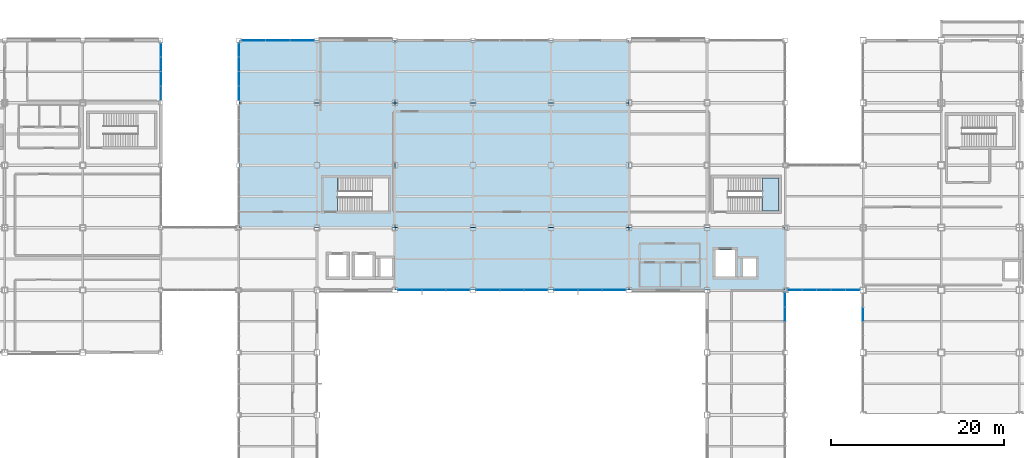
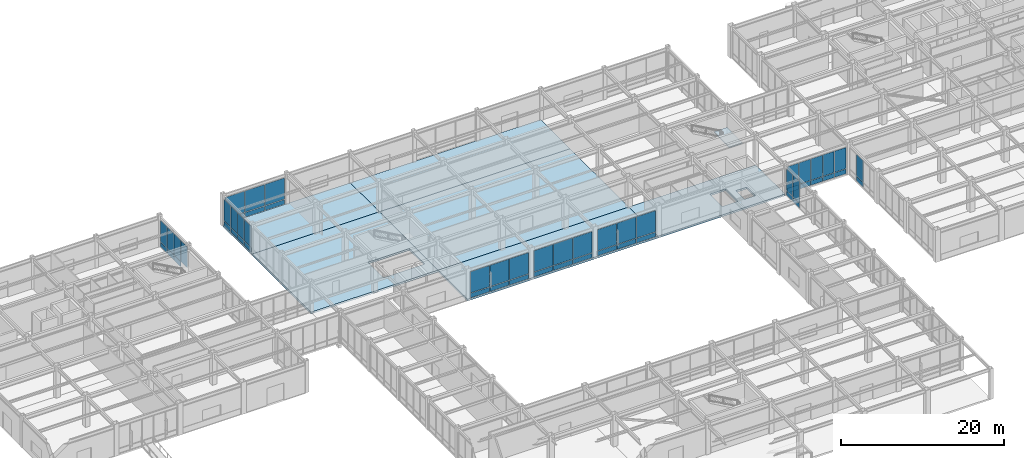
# One storey, part 84 of 112: 55 plates, 7 slabs, 10 elements without a shape of their own.
"""IFC4 building model written with IfcOpenShell, lengths in metres."""

from ifc_helpers import new_model, si_unit, direction, frame, origin, origin_2d, place, context, subcontext, project, spatial, polyline, rectangle, outline, extrude, material, layer, layer_set, type_object, element, aggregate, save


model = new_model("IFC4")

# Units and contexts
model_context = context("Model", 3, precision=1e-05, world=origin(), true_north=direction((0.0, 1.0)))
body_context = subcontext(model_context, "Body", "Model", "MODEL_VIEW")
ifc_project = project(units=[si_unit("LENGTHUNIT", "METRE"), si_unit("AREAUNIT", "SQUARE_METRE"), si_unit("VOLUMEUNIT", "CUBIC_METRE"), si_unit("PLANEANGLEUNIT", "RADIAN"), si_unit("MASSUNIT", "GRAM", prefix="KILO")], contexts=[model_context])

# Site, building, storey
site_placement = place(None, origin())
site = spatial("IfcSite", under=ifc_project, at=site_placement, CompositionType="ELEMENT")
building_placement = place(site_placement, origin())
building = spatial("IfcBuilding", under=site, at=building_placement, Name="Kazanami Central Library", CompositionType="ELEMENT")
storey_placement = place(building_placement, origin())
storey = spatial("IfcBuildingStorey", under=building, at=storey_placement, Name="L01", CompositionType="ELEMENT", Elevation=0.0)

# Curtain wall, plates
ifc_material_1 = material(Name="Acid-Etched Low-E Laminated Glass", Category="glass")
curtain_wall_type_1 = type_object("IfcCurtainWallType", Name="CW-8350x4055-M275", PredefinedType="USERDEFINED", material=ifc_material_1)
curtain_wall_1_placement = place(storey_placement, origin())
curtain_wall_1 = element("IfcCurtainWall", 1, at=curtain_wall_1_placement, inside=storey, type_object=curtain_wall_type_1, Name="Unitised Curtain Wall CW-03 L01 S-K-08", ObjectType="UNITISED CURTAIN WALL", PredefinedType="USERDEFINED")
ifc_layer_1 = layer(ifc_material_1, 0.035888671875, Name="Acid-Etched Low-E Laminated Glass")
ifc_layer_set_1 = layer_set([ifc_layer_1], Name="Acid-Etched Low-E Laminated Glass")
plate_type_1 = type_object("IfcPlateType", Name="PLT-CW-P1", PredefinedType="CURTAIN_PANEL", material=ifc_layer_set_1)
plate_1_placement = place(storey_placement, frame((73.734130859375, 64.800048828125, 0.81494140625), z_axis=(0.0, 0.0, 1.0), x_axis=(1.0, 0.0, 0.0)))
plate_1 = element("IfcPlate", 2, at=plate_1_placement, type_object=plate_type_1, Name="CW-03 panel 1.2", PredefinedType="CURTAIN_PANEL", context=body_context, shape_type="SweptSolid", body=[
    extrude(rectangle(XDim=2.67822265625, YDim=0.035888671875, at=origin_2d()), origin(), (0.0, 0.0, 1.0), 3.169921875),
])
plate_2_placement = place(storey_placement, frame((76.5, 64.800048828125, 0.81494140625), z_axis=(0.0, 0.0, 1.0), x_axis=(1.0, 0.0, 0.0)))
plate_2 = element("IfcPlate", 3, at=plate_2_placement, type_object=plate_type_1, Name="CW-03 panel 2.2", PredefinedType="CURTAIN_PANEL", context=body_context, shape_type="SweptSolid", body=[
    extrude(rectangle(XDim=2.71337890625, YDim=0.035888671875, at=origin_2d()), origin(), (0.0, 0.0, 1.0), 3.169921875),
])
plate_3_placement = place(storey_placement, frame((79.265869140625, 64.800048828125, 0.81494140625), z_axis=(0.0, 0.0, 1.0), x_axis=(1.0, 0.0, 0.0)))
plate_3 = element("IfcPlate", 4, at=plate_3_placement, type_object=plate_type_1, Name="CW-03 panel 3.2", PredefinedType="CURTAIN_PANEL", context=body_context, shape_type="SweptSolid", body=[
    extrude(rectangle(XDim=2.67822265625, YDim=0.035888671875, at=origin_2d()), origin(), (0.0, 0.0, 1.0), 3.169921875),
])

curtain_wall_2_placement = place(storey_placement, origin())
curtain_wall_2 = element("IfcCurtainWall", 5, at=curtain_wall_2_placement, inside=storey, type_object=curtain_wall_type_1, Name="Unitised Curtain Wall CW-03 L01 S-K-07", ObjectType="UNITISED CURTAIN WALL", PredefinedType="USERDEFINED")
ifc_layer_2 = layer(ifc_material_1, 0.0439453125, Name="Acid-Etched Low-E Laminated Glass")
ifc_layer_set_2 = layer_set([ifc_layer_2], Name="Acid-Etched Low-E Laminated Glass")
plate_type_2 = type_object("IfcPlateType", Name="PLT-CW-P2", PredefinedType="CURTAIN_PANEL", material=ifc_layer_set_2)
plate_4_placement = place(storey_placement, frame((64.734130859375, 64.800048828125, 0.81494140625), z_axis=(0.0, 0.0, 1.0), x_axis=(1.0, 0.0, 0.0)))
plate_4 = element("IfcPlate", 6, at=plate_4_placement, type_object=plate_type_2, Name="CW-03 panel 1.2", PredefinedType="CURTAIN_PANEL", context=body_context, shape_type="SweptSolid", body=[
    extrude(rectangle(XDim=2.67822265625, YDim=0.0439453125, at=origin_2d()), origin(), (0.0, 0.0, 1.0), 3.169921875),
])
plate_5_placement = place(storey_placement, frame((67.5, 64.800048828125, 0.81494140625), z_axis=(0.0, 0.0, 1.0), x_axis=(1.0, 0.0, 0.0)))
plate_5 = element("IfcPlate", 7, at=plate_5_placement, type_object=plate_type_2, Name="CW-03 panel 2.2", PredefinedType="CURTAIN_PANEL", context=body_context, shape_type="SweptSolid", body=[
    extrude(rectangle(XDim=2.71337890625, YDim=0.0439453125, at=origin_2d()), origin(), (0.0, 0.0, 1.0), 3.169921875),
])
plate_6_placement = place(storey_placement, frame((70.265869140625, 64.800048828125, 0.81494140625), z_axis=(0.0, 0.0, 1.0), x_axis=(1.0, 0.0, 0.0)))
plate_6 = element("IfcPlate", 8, at=plate_6_placement, type_object=plate_type_2, Name="CW-03 panel 3.2", PredefinedType="CURTAIN_PANEL", context=body_context, shape_type="SweptSolid", body=[
    extrude(rectangle(XDim=2.67822265625, YDim=0.0439453125, at=origin_2d()), origin(), (0.0, 0.0, 1.0), 3.169921875),
])

curtain_wall_3_placement = place(storey_placement, origin())
curtain_wall_3 = element("IfcCurtainWall", 9, at=curtain_wall_3_placement, inside=storey, type_object=curtain_wall_type_1, Name="Unitised Curtain Wall CW-03 L01 S-K-09", ObjectType="UNITISED CURTAIN WALL", PredefinedType="USERDEFINED")
plate_7_placement = place(storey_placement, frame((82.734130859375, 64.800048828125, 0.81494140625), z_axis=(0.0, 0.0, 1.0), x_axis=(1.0, 0.0, 0.0)))
plate_7 = element("IfcPlate", 10, at=plate_7_placement, type_object=plate_type_2, Name="CW-03 panel 1.2", PredefinedType="CURTAIN_PANEL", context=body_context, shape_type="SweptSolid", body=[
    extrude(rectangle(XDim=2.67822265625, YDim=0.0439453125, at=origin_2d()), origin(), (0.0, 0.0, 1.0), 3.169921875),
])
plate_8_placement = place(storey_placement, frame((85.5, 64.800048828125, 0.81494140625), z_axis=(0.0, 0.0, 1.0), x_axis=(1.0, 0.0, 0.0)))
plate_8 = element("IfcPlate", 11, at=plate_8_placement, type_object=plate_type_2, Name="CW-03 panel 2.2", PredefinedType="CURTAIN_PANEL", context=body_context, shape_type="SweptSolid", body=[
    extrude(rectangle(XDim=2.71337890625, YDim=0.0439453125, at=origin_2d()), origin(), (0.0, 0.0, 1.0), 3.169921875),
])
plate_9_placement = place(storey_placement, frame((88.265869140625, 64.800048828125, 0.81494140625), z_axis=(0.0, 0.0, 1.0), x_axis=(1.0, 0.0, 0.0)))
plate_9 = element("IfcPlate", 12, at=plate_9_placement, type_object=plate_type_2, Name="CW-03 panel 3.2", PredefinedType="CURTAIN_PANEL", context=body_context, shape_type="SweptSolid", body=[
    extrude(rectangle(XDim=2.67822265625, YDim=0.0439453125, at=origin_2d()), origin(), (0.0, 0.0, 1.0), 3.169921875),
])

curtain_wall_type_2 = type_object("IfcCurtainWallType", Name="CW-8500x4055-M275", PredefinedType="USERDEFINED", material=ifc_material_1)
curtain_wall_4_placement = place(storey_placement, origin())
curtain_wall_4 = element("IfcCurtainWall", 13, at=curtain_wall_4_placement, inside=storey, type_object=curtain_wall_type_2, Name="Unitised Curtain Wall CW-07 L01 N-O-05", ObjectType="UNITISED CURTAIN WALL", PredefinedType="USERDEFINED")
plate_10_placement = place(storey_placement, frame((52.31591796875, 93.60009765625, 0.81494140625), z_axis=(0.0, 0.0, 1.0), x_axis=(-1.0, 0.0, 0.0)))
plate_10 = element("IfcPlate", 14, at=plate_10_placement, type_object=plate_type_2, Name="CW-07 panel 1.2", PredefinedType="CURTAIN_PANEL", context=body_context, shape_type="SweptSolid", body=[
    extrude(rectangle(XDim=2.728271484375, YDim=0.0439453125, at=origin_2d()), origin(), (0.0, 0.0, 1.0), 3.169921875),
])
plate_11_placement = place(storey_placement, frame((49.5, 93.60009765625, 0.81494140625), z_axis=(0.0, 0.0, 1.0), x_axis=(-1.0, 0.0, 0.0)))
plate_11 = element("IfcPlate", 15, at=plate_11_placement, type_object=plate_type_2, Name="CW-07 panel 2.2", PredefinedType="CURTAIN_PANEL", context=body_context, shape_type="SweptSolid", body=[
    extrude(rectangle(XDim=2.763427734375, YDim=0.0439453125, at=origin_2d()), origin(), (0.0, 0.0, 1.0), 3.169921875),
])
plate_12_placement = place(storey_placement, frame((46.68408203125, 93.60009765625, 0.81494140625), z_axis=(0.0, 0.0, 1.0), x_axis=(-1.0, 0.0, 0.0)))
plate_12 = element("IfcPlate", 16, at=plate_12_placement, type_object=plate_type_2, Name="CW-07 panel 3.2", PredefinedType="CURTAIN_PANEL", context=body_context, shape_type="SweptSolid", body=[
    extrude(rectangle(XDim=2.728271484375, YDim=0.0439453125, at=origin_2d()), origin(), (0.0, 0.0, 1.0), 3.169921875),
])

curtain_wall_type_3 = type_object("IfcCurtainWallType", Name="CW-8400x4055-M180", PredefinedType="USERDEFINED", material=ifc_material_1)
curtain_wall_5_placement = place(storey_placement, origin())
curtain_wall_5 = element("IfcCurtainWall", 17, at=curtain_wall_5_placement, inside=storey, type_object=curtain_wall_type_3, Name="Covered Link Bridge Curtain Wall CW-06 L01 S-K-12", ObjectType="UNITISED CURTAIN WALL", PredefinedType="USERDEFINED")
ifc_material_2 = material(Name="Low-E Insulated Triple Glass", Category="glass")
ifc_layer_3 = layer(ifc_material_2, 0.0400390625, Name="Low-E Insulated Triple Glass")
ifc_layer_set_3 = layer_set([ifc_layer_3], Name="Low-E Insulated Triple Glass")
plate_type_3 = type_object("IfcPlateType", Name="PLT-CW-P3", PredefinedType="CURTAIN_PANEL", material=ifc_layer_set_3)
plate_13_placement = place(storey_placement, frame((109.10498046875, 64.800048828125, 0.81005859375), z_axis=(0.0, 0.0, 1.0), x_axis=(1.0, 0.0, 0.0)))
plate_13 = element("IfcPlate", 18, at=plate_13_placement, type_object=plate_type_3, Name="CW-06 panel 1.2", PredefinedType="CURTAIN_PANEL", context=body_context, shape_type="SweptSolid", body=[
    extrude(rectangle(XDim=1.590087890625, YDim=0.0400390625, at=origin_2d()), origin(), (0.0, 0.0, 1.0), 3.18505859375),
])
plate_14_placement = place(storey_placement, frame((110.77001953125, 64.800048828125, 0.81005859375), z_axis=(0.0, 0.0, 1.0), x_axis=(1.0, 0.0, 0.0)))
plate_14 = element("IfcPlate", 19, at=plate_14_placement, type_object=plate_type_3, Name="CW-06 panel 2.2", PredefinedType="CURTAIN_PANEL", context=body_context, shape_type="SweptSolid", body=[
    extrude(rectangle(XDim=1.6201171875, YDim=0.0400390625, at=origin_2d()), origin(), (0.0, 0.0, 1.0), 3.18505859375),
])
plate_15_placement = place(storey_placement, frame((112.449951171875, 64.800048828125, 0.81005859375), z_axis=(0.0, 0.0, 1.0), x_axis=(1.0, 0.0, 0.0)))
plate_15 = element("IfcPlate", 20, at=plate_15_placement, type_object=plate_type_3, Name="CW-06 panel 3.2", PredefinedType="CURTAIN_PANEL", context=body_context, shape_type="SweptSolid", body=[
    extrude(rectangle(XDim=1.6201171875, YDim=0.0400390625, at=origin_2d()), origin(), (0.0, 0.0, 1.0), 3.18505859375),
])
plate_16_placement = place(storey_placement, frame((114.1298828125, 64.800048828125, 0.81005859375), z_axis=(0.0, 0.0, 1.0), x_axis=(1.0, 0.0, 0.0)))
plate_16 = element("IfcPlate", 21, at=plate_16_placement, type_object=plate_type_3, Name="CW-06 panel 4.2", PredefinedType="CURTAIN_PANEL", context=body_context, shape_type="SweptSolid", body=[
    extrude(rectangle(XDim=1.6201171875, YDim=0.0400390625, at=origin_2d()), origin(), (0.0, 0.0, 1.0), 3.18505859375),
])
plate_17_placement = place(storey_placement, frame((115.794921875, 64.800048828125, 0.81005859375), z_axis=(0.0, 0.0, 1.0), x_axis=(1.0, 0.0, 0.0)))
plate_17 = element("IfcPlate", 22, at=plate_17_placement, type_object=plate_type_3, Name="CW-06 panel 5.2", PredefinedType="CURTAIN_PANEL", context=body_context, shape_type="SweptSolid", body=[
    extrude(rectangle(XDim=1.590087890625, YDim=0.0400390625, at=origin_2d()), origin(), (0.0, 0.0, 1.0), 3.18505859375),
])

curtain_wall_type_4 = type_object("IfcCurtainWallType", Name="CW-6700x4055-M180", PredefinedType="USERDEFINED", material=ifc_material_1)
curtain_wall_6_placement = place(storey_placement, origin())
curtain_wall_6 = element("IfcCurtainWall", 23, at=curtain_wall_6_placement, inside=storey, type_object=curtain_wall_type_4, Name="Covered Link Bridge Curtain Wall CW-09 L01 E-5-12", ObjectType="UNITISED CURTAIN WALL", PredefinedType="USERDEFINED")
plate_18_placement = place(storey_placement, frame((36.0, 92.49755859375, 0.81005859375), z_axis=(0.0, 0.0, 1.0), x_axis=(0.0, -1.0, 0.0)))
plate_18 = element("IfcPlate", 24, at=plate_18_placement, type_object=plate_type_3, Name="CW-09 panel 1.2", PredefinedType="CURTAIN_PANEL", context=body_context, shape_type="SweptSolid", body=[
    extrude(rectangle(XDim=1.5849609375, YDim=0.0400390625, at=origin_2d()), origin(), (0.0, 0.0, 1.0), 3.18505859375),
])
plate_19_placement = place(storey_placement, frame((36.0, 90.83740234375, 0.81005859375), z_axis=(0.0, 0.0, 1.0), x_axis=(0.0, -1.0, 0.0)))
plate_19 = element("IfcPlate", 25, at=plate_19_placement, type_object=plate_type_3, Name="CW-09 panel 2.2", PredefinedType="CURTAIN_PANEL", context=body_context, shape_type="SweptSolid", body=[
    extrude(rectangle(XDim=1.614990234375, YDim=0.0400390625, at=origin_2d()), origin(), (0.0, 0.0, 1.0), 3.18505859375),
])
plate_20_placement = place(storey_placement, frame((36.0, 89.16259765625, 0.81005859375), z_axis=(0.0, 0.0, 1.0), x_axis=(0.0, -1.0, 0.0)))
plate_20 = element("IfcPlate", 26, at=plate_20_placement, type_object=plate_type_3, Name="CW-09 panel 3.2", PredefinedType="CURTAIN_PANEL", context=body_context, shape_type="SweptSolid", body=[
    extrude(rectangle(XDim=1.614990234375, YDim=0.0400390625, at=origin_2d()), origin(), (0.0, 0.0, 1.0), 3.18505859375),
])
plate_21_placement = place(storey_placement, frame((36.0, 87.50244140625, 0.81005859375), z_axis=(0.0, 0.0, 1.0), x_axis=(0.0, -1.0, 0.0)))
plate_21 = element("IfcPlate", 27, at=plate_21_placement, type_object=plate_type_3, Name="CW-09 panel 4.2", PredefinedType="CURTAIN_PANEL", context=body_context, shape_type="SweptSolid", body=[
    extrude(rectangle(XDim=1.5849609375, YDim=0.0400390625, at=origin_2d()), origin(), (0.0, 0.0, 1.0), 3.18505859375),
])

curtain_wall_7_placement = place(storey_placement, origin())
curtain_wall_7 = element("IfcCurtainWall", 28, at=curtain_wall_7_placement, inside=storey, type_object=curtain_wall_type_4, Name="Covered Link Bridge Curtain Wall CW-09 L01 W-6-12", ObjectType="UNITISED CURTAIN WALL", PredefinedType="USERDEFINED")
plate_22_placement = place(storey_placement, frame((45.0, 87.5048828125, 0.81494140625), z_axis=(0.0, 0.0, 1.0), x_axis=(0.0, 1.0, 0.0)))
plate_22 = element("IfcPlate", 29, at=plate_22_placement, type_object=plate_type_3, Name="CW-09 panel 1.2", PredefinedType="CURTAIN_PANEL", context=body_context, shape_type="SweptSolid", body=[
    extrude(rectangle(XDim=1.570068359375, YDim=0.0400390625, at=origin_2d()), origin(), (0.0, 0.0, 1.0), 3.169921875),
])
plate_23_placement = place(storey_placement, frame((45.0, 89.16259765625, 0.81494140625), z_axis=(0.0, 0.0, 1.0), x_axis=(0.0, 1.0, 0.0)))
plate_23 = element("IfcPlate", 30, at=plate_23_placement, type_object=plate_type_3, Name="CW-09 panel 2.2", PredefinedType="CURTAIN_PANEL", context=body_context, shape_type="SweptSolid", body=[
    extrude(rectangle(XDim=1.60498046875, YDim=0.0400390625, at=origin_2d()), origin(), (0.0, 0.0, 1.0), 3.169921875),
])
plate_24_placement = place(storey_placement, frame((45.0, 90.83740234375, 0.81494140625), z_axis=(0.0, 0.0, 1.0), x_axis=(0.0, 1.0, 0.0)))
plate_24 = element("IfcPlate", 31, at=plate_24_placement, type_object=plate_type_3, Name="CW-09 panel 3.2", PredefinedType="CURTAIN_PANEL", context=body_context, shape_type="SweptSolid", body=[
    extrude(rectangle(XDim=1.60498046875, YDim=0.0400390625, at=origin_2d()), origin(), (0.0, 0.0, 1.0), 3.169921875),
])
plate_25_placement = place(storey_placement, frame((45.0, 92.4951171875, 0.81494140625), z_axis=(0.0, 0.0, 1.0), x_axis=(0.0, 1.0, 0.0)))
plate_25 = element("IfcPlate", 32, at=plate_25_placement, type_object=plate_type_3, Name="CW-09 panel 4.2", PredefinedType="CURTAIN_PANEL", context=body_context, shape_type="SweptSolid", body=[
    extrude(rectangle(XDim=1.570068359375, YDim=0.0400390625, at=origin_2d()), origin(), (0.0, 0.0, 1.0), 3.169921875),
])

curtain_wall_8_placement = place(storey_placement, origin())
curtain_wall_8 = element("IfcCurtainWall", 33, at=curtain_wall_8_placement, inside=storey, type_object=curtain_wall_type_4, Name="Covered Link Bridge Curtain Wall CW-09 L01 E-13-08", ObjectType="UNITISED CURTAIN WALL", PredefinedType="USERDEFINED")
plate_26_placement = place(storey_placement, frame((108.0, 63.695068359375, 0.81494140625), z_axis=(0.0, 0.0, 1.0), x_axis=(0.0, -1.0, 0.0)))
plate_26 = element("IfcPlate", 34, at=plate_26_placement, type_object=plate_type_3, Name="CW-09 panel 1.2", PredefinedType="CURTAIN_PANEL", context=body_context, shape_type="SweptSolid", body=[
    extrude(rectangle(XDim=1.570068359375, YDim=0.0400390625, at=origin_2d()), origin(), (0.0, 0.0, 1.0), 3.169921875),
])
plate_27_placement = place(storey_placement, frame((108.0, 62.03759765625, 0.81494140625), z_axis=(0.0, 0.0, 1.0), x_axis=(0.0, -1.0, 0.0)))
plate_27 = element("IfcPlate", 35, at=plate_27_placement, type_object=plate_type_3, Name="CW-09 panel 2.2", PredefinedType="CURTAIN_PANEL", context=body_context, shape_type="SweptSolid", body=[
    extrude(rectangle(XDim=1.60498046875, YDim=0.0400390625, at=origin_2d()), origin(), (0.0, 0.0, 1.0), 3.169921875),
])

# Curtain wall, plate
curtain_wall_type_5 = type_object("IfcCurtainWallType", Name="CW-6500x4055-M180", PredefinedType="USERDEFINED", material=ifc_material_1)
curtain_wall_9_placement = place(storey_placement, origin())
curtain_wall_9 = element("IfcCurtainWall", 36, at=curtain_wall_9_placement, inside=storey, type_object=curtain_wall_type_5, Name="Covered Link Bridge Curtain Wall CW-11 L01 W-14-08", ObjectType="UNITISED CURTAIN WALL", PredefinedType="USERDEFINED")
plate_28_placement = place(storey_placement, frame((117.0, 62.012451171875, 0.81005859375), z_axis=(0.0, 0.0, 1.0), x_axis=(0.0, 1.0, 0.0)))
plate_28 = element("IfcPlate", 37, at=plate_28_placement, type_object=plate_type_3, Name="CW-11 panel 3.2", PredefinedType="CURTAIN_PANEL", context=body_context, shape_type="SweptSolid", body=[
    extrude(rectangle(XDim=1.56494140625, YDim=0.0400390625, at=origin_2d()), origin(), (0.0, 0.0, 1.0), 3.18505859375),
])

# Plate
ifc_material_3 = material(Name="Anodised Aluminium A5052-H32", Category="aluminium")
ifc_layer_4 = layer(ifc_material_3, 0.06005859375, Name="Anodised Aluminium A5052-H32")
ifc_layer_set_4 = layer_set([ifc_layer_4], Name="Anodised Aluminium A5052-H32")
plate_type_4 = type_object("IfcPlateType", Name="PLT-CW-SP1", PredefinedType="CURTAIN_PANEL", material=ifc_layer_set_4)
plate_29_placement = place(storey_placement, frame((64.734130859375, 64.800048828125, 0.06982421875), z_axis=(0.0, 0.0, 1.0), x_axis=(1.0, 0.0, 0.0)))
plate_29 = element("IfcPlate", 38, at=plate_29_placement, type_object=plate_type_4, Name="CW-03 panel 1.1", PredefinedType="CURTAIN_PANEL", context=body_context, shape_type="SweptSolid", body=[
    extrude(rectangle(XDim=2.67822265625, YDim=0.06005859375, at=origin_2d()), origin(), (0.0, 0.0, 1.0), 0.675048828125),
])

plate_30_placement = place(storey_placement, frame((67.5, 64.800048828125, 0.06982421875), z_axis=(0.0, 0.0, 1.0), x_axis=(1.0, 0.0, 0.0)))
plate_30 = element("IfcPlate", 39, at=plate_30_placement, type_object=plate_type_4, Name="CW-03 panel 2.1", PredefinedType="CURTAIN_PANEL", context=body_context, shape_type="SweptSolid", body=[
    extrude(rectangle(XDim=2.71337890625, YDim=0.06005859375, at=origin_2d()), origin(), (0.0, 0.0, 1.0), 0.675048828125),
])

plate_31_placement = place(storey_placement, frame((70.265869140625, 64.800048828125, 0.06982421875), z_axis=(0.0, 0.0, 1.0), x_axis=(1.0, 0.0, 0.0)))
plate_31 = element("IfcPlate", 40, at=plate_31_placement, type_object=plate_type_4, Name="CW-03 panel 3.1", PredefinedType="CURTAIN_PANEL", context=body_context, shape_type="SweptSolid", body=[
    extrude(rectangle(XDim=2.67822265625, YDim=0.06005859375, at=origin_2d()), origin(), (0.0, 0.0, 1.0), 0.675048828125),
])

aggregate(curtain_wall_2, [plate_29, plate_4, plate_30, plate_5, plate_31, plate_6])

plate_32_placement = place(storey_placement, frame((73.734130859375, 64.800048828125, 0.06982421875), z_axis=(0.0, 0.0, 1.0), x_axis=(1.0, 0.0, 0.0)))
plate_32 = element("IfcPlate", 41, at=plate_32_placement, type_object=plate_type_4, Name="CW-03 panel 1.1", PredefinedType="CURTAIN_PANEL", context=body_context, shape_type="SweptSolid", body=[
    extrude(rectangle(XDim=2.67822265625, YDim=0.06005859375, at=origin_2d()), origin(), (0.0, 0.0, 1.0), 0.675048828125),
])

plate_33_placement = place(storey_placement, frame((76.5, 64.800048828125, 0.06982421875), z_axis=(0.0, 0.0, 1.0), x_axis=(1.0, 0.0, 0.0)))
plate_33 = element("IfcPlate", 42, at=plate_33_placement, type_object=plate_type_4, Name="CW-03 panel 2.1", PredefinedType="CURTAIN_PANEL", context=body_context, shape_type="SweptSolid", body=[
    extrude(rectangle(XDim=2.71337890625, YDim=0.06005859375, at=origin_2d()), origin(), (0.0, 0.0, 1.0), 0.675048828125),
])

plate_34_placement = place(storey_placement, frame((79.265869140625, 64.800048828125, 0.06982421875), z_axis=(0.0, 0.0, 1.0), x_axis=(1.0, 0.0, 0.0)))
plate_34 = element("IfcPlate", 43, at=plate_34_placement, type_object=plate_type_4, Name="CW-03 panel 3.1", PredefinedType="CURTAIN_PANEL", context=body_context, shape_type="SweptSolid", body=[
    extrude(rectangle(XDim=2.67822265625, YDim=0.06005859375, at=origin_2d()), origin(), (0.0, 0.0, 1.0), 0.675048828125),
])

aggregate(curtain_wall_1, [plate_32, plate_1, plate_33, plate_2, plate_34, plate_3])

plate_35_placement = place(storey_placement, frame((82.734130859375, 64.800048828125, 0.06982421875), z_axis=(0.0, 0.0, 1.0), x_axis=(1.0, 0.0, 0.0)))
plate_35 = element("IfcPlate", 44, at=plate_35_placement, type_object=plate_type_4, Name="CW-03 panel 1.1", PredefinedType="CURTAIN_PANEL", context=body_context, shape_type="SweptSolid", body=[
    extrude(rectangle(XDim=2.67822265625, YDim=0.06005859375, at=origin_2d()), origin(), (0.0, 0.0, 1.0), 0.675048828125),
])

plate_36_placement = place(storey_placement, frame((85.5, 64.800048828125, 0.06982421875), z_axis=(0.0, 0.0, 1.0), x_axis=(1.0, 0.0, 0.0)))
plate_36 = element("IfcPlate", 45, at=plate_36_placement, type_object=plate_type_4, Name="CW-03 panel 2.1", PredefinedType="CURTAIN_PANEL", context=body_context, shape_type="SweptSolid", body=[
    extrude(rectangle(XDim=2.71337890625, YDim=0.06005859375, at=origin_2d()), origin(), (0.0, 0.0, 1.0), 0.675048828125),
])

plate_37_placement = place(storey_placement, frame((88.265869140625, 64.800048828125, 0.06982421875), z_axis=(0.0, 0.0, 1.0), x_axis=(1.0, 0.0, 0.0)))
plate_37 = element("IfcPlate", 46, at=plate_37_placement, type_object=plate_type_4, Name="CW-03 panel 3.1", PredefinedType="CURTAIN_PANEL", context=body_context, shape_type="SweptSolid", body=[
    extrude(rectangle(XDim=2.67822265625, YDim=0.06005859375, at=origin_2d()), origin(), (0.0, 0.0, 1.0), 0.675048828125),
])

aggregate(curtain_wall_3, [plate_35, plate_7, plate_36, plate_8, plate_37, plate_9])

plate_38_placement = place(storey_placement, frame((52.31591796875, 93.60009765625, 0.06982421875), z_axis=(0.0, 0.0, 1.0), x_axis=(-1.0, 0.0, 0.0)))
plate_38 = element("IfcPlate", 47, at=plate_38_placement, type_object=plate_type_4, Name="CW-07 panel 1.1", PredefinedType="CURTAIN_PANEL", context=body_context, shape_type="SweptSolid", body=[
    extrude(rectangle(XDim=2.728271484375, YDim=0.06005859375, at=origin_2d()), origin(), (0.0, 0.0, 1.0), 0.675048828125),
])

plate_39_placement = place(storey_placement, frame((49.5, 93.60009765625, 0.06982421875), z_axis=(0.0, 0.0, 1.0), x_axis=(-1.0, 0.0, 0.0)))
plate_39 = element("IfcPlate", 48, at=plate_39_placement, type_object=plate_type_4, Name="CW-07 panel 2.1", PredefinedType="CURTAIN_PANEL", context=body_context, shape_type="SweptSolid", body=[
    extrude(rectangle(XDim=2.763427734375, YDim=0.06005859375, at=origin_2d()), origin(), (0.0, 0.0, 1.0), 0.675048828125),
])

plate_40_placement = place(storey_placement, frame((46.68408203125, 93.60009765625, 0.06982421875), z_axis=(0.0, 0.0, 1.0), x_axis=(-1.0, 0.0, 0.0)))
plate_40 = element("IfcPlate", 49, at=plate_40_placement, type_object=plate_type_4, Name="CW-07 panel 3.1", PredefinedType="CURTAIN_PANEL", context=body_context, shape_type="SweptSolid", body=[
    extrude(rectangle(XDim=2.728271484375, YDim=0.06005859375, at=origin_2d()), origin(), (0.0, 0.0, 1.0), 0.675048828125),
])

aggregate(curtain_wall_4, [plate_38, plate_10, plate_39, plate_11, plate_40, plate_12])

plate_41_placement = place(storey_placement, frame((45.0, 87.5048828125, 0.06982421875), z_axis=(0.0, 0.0, 1.0), x_axis=(0.0, 1.0, 0.0)))
plate_41 = element("IfcPlate", 50, at=plate_41_placement, type_object=plate_type_4, Name="CW-09 panel 1.1", PredefinedType="CURTAIN_PANEL", context=body_context, shape_type="SweptSolid", body=[
    extrude(rectangle(XDim=1.570068359375, YDim=0.06005859375, at=origin_2d()), origin(), (0.0, 0.0, 1.0), 0.675048828125),
])

plate_42_placement = place(storey_placement, frame((45.0, 89.16259765625, 0.06982421875), z_axis=(0.0, 0.0, 1.0), x_axis=(0.0, 1.0, 0.0)))
plate_42 = element("IfcPlate", 51, at=plate_42_placement, type_object=plate_type_4, Name="CW-09 panel 2.1", PredefinedType="CURTAIN_PANEL", context=body_context, shape_type="SweptSolid", body=[
    extrude(rectangle(XDim=1.60498046875, YDim=0.06005859375, at=origin_2d()), origin(), (0.0, 0.0, 1.0), 0.675048828125),
])

plate_43_placement = place(storey_placement, frame((45.0, 90.83740234375, 0.06982421875), z_axis=(0.0, 0.0, 1.0), x_axis=(0.0, 1.0, 0.0)))
plate_43 = element("IfcPlate", 52, at=plate_43_placement, type_object=plate_type_4, Name="CW-09 panel 3.1", PredefinedType="CURTAIN_PANEL", context=body_context, shape_type="SweptSolid", body=[
    extrude(rectangle(XDim=1.60498046875, YDim=0.06005859375, at=origin_2d()), origin(), (0.0, 0.0, 1.0), 0.675048828125),
])

plate_44_placement = place(storey_placement, frame((45.0, 92.4951171875, 0.06982421875), z_axis=(0.0, 0.0, 1.0), x_axis=(0.0, 1.0, 0.0)))
plate_44 = element("IfcPlate", 53, at=plate_44_placement, type_object=plate_type_4, Name="CW-09 panel 4.1", PredefinedType="CURTAIN_PANEL", context=body_context, shape_type="SweptSolid", body=[
    extrude(rectangle(XDim=1.570068359375, YDim=0.06005859375, at=origin_2d()), origin(), (0.0, 0.0, 1.0), 0.675048828125),
])

aggregate(curtain_wall_7, [plate_41, plate_22, plate_42, plate_23, plate_43, plate_24, plate_44, plate_25])

plate_45_placement = place(storey_placement, frame((108.0, 63.695068359375, 0.06982421875), z_axis=(0.0, 0.0, 1.0), x_axis=(0.0, -1.0, 0.0)))
plate_45 = element("IfcPlate", 54, at=plate_45_placement, type_object=plate_type_4, Name="CW-09 panel 1.1", PredefinedType="CURTAIN_PANEL", context=body_context, shape_type="SweptSolid", body=[
    extrude(rectangle(XDim=1.570068359375, YDim=0.06005859375, at=origin_2d()), origin(), (0.0, 0.0, 1.0), 0.675048828125),
])

plate_46_placement = place(storey_placement, frame((108.0, 62.03759765625, 0.06982421875), z_axis=(0.0, 0.0, 1.0), x_axis=(0.0, -1.0, 0.0)))
plate_46 = element("IfcPlate", 55, at=plate_46_placement, type_object=plate_type_4, Name="CW-09 panel 2.1", PredefinedType="CURTAIN_PANEL", context=body_context, shape_type="SweptSolid", body=[
    extrude(rectangle(XDim=1.60498046875, YDim=0.06005859375, at=origin_2d()), origin(), (0.0, 0.0, 1.0), 0.675048828125),
])

aggregate(curtain_wall_8, [plate_45, plate_26, plate_46, plate_27])

ifc_layer_5 = layer(ifc_material_3, 0.052001953125, Name="Anodised Aluminium A5052-H32")
ifc_layer_set_5 = layer_set([ifc_layer_5], Name="Anodised Aluminium A5052-H32")
plate_type_5 = type_object("IfcPlateType", Name="PLT-CW-SP2", PredefinedType="CURTAIN_PANEL", material=ifc_layer_set_5)
plate_47_placement = place(storey_placement, frame((109.10498046875, 64.800048828125, 0.06005859375), z_axis=(0.0, 0.0, 1.0), x_axis=(1.0, 0.0, 0.0)))
plate_47 = element("IfcPlate", 56, at=plate_47_placement, type_object=plate_type_5, Name="CW-06 panel 1.1", PredefinedType="CURTAIN_PANEL", context=body_context, shape_type="SweptSolid", body=[
    extrude(rectangle(XDim=1.590087890625, YDim=0.052001953125, at=origin_2d()), origin(), (0.0, 0.0, 1.0), 0.68994140625),
])

plate_48_placement = place(storey_placement, frame((110.77001953125, 64.800048828125, 0.06005859375), z_axis=(0.0, 0.0, 1.0), x_axis=(1.0, 0.0, 0.0)))
plate_48 = element("IfcPlate", 57, at=plate_48_placement, type_object=plate_type_5, Name="CW-06 panel 2.1", PredefinedType="CURTAIN_PANEL", context=body_context, shape_type="SweptSolid", body=[
    extrude(rectangle(XDim=1.6201171875, YDim=0.052001953125, at=origin_2d()), origin(), (0.0, 0.0, 1.0), 0.68994140625),
])

plate_49_placement = place(storey_placement, frame((112.449951171875, 64.800048828125, 0.06005859375), z_axis=(0.0, 0.0, 1.0), x_axis=(1.0, 0.0, 0.0)))
plate_49 = element("IfcPlate", 58, at=plate_49_placement, type_object=plate_type_5, Name="CW-06 panel 3.1", PredefinedType="CURTAIN_PANEL", context=body_context, shape_type="SweptSolid", body=[
    extrude(rectangle(XDim=1.6201171875, YDim=0.052001953125, at=origin_2d()), origin(), (0.0, 0.0, 1.0), 0.68994140625),
])

plate_50_placement = place(storey_placement, frame((114.1298828125, 64.800048828125, 0.06005859375), z_axis=(0.0, 0.0, 1.0), x_axis=(1.0, 0.0, 0.0)))
plate_50 = element("IfcPlate", 59, at=plate_50_placement, type_object=plate_type_5, Name="CW-06 panel 4.1", PredefinedType="CURTAIN_PANEL", context=body_context, shape_type="SweptSolid", body=[
    extrude(rectangle(XDim=1.6201171875, YDim=0.052001953125, at=origin_2d()), origin(), (0.0, 0.0, 1.0), 0.68994140625),
])

plate_51_placement = place(storey_placement, frame((115.794921875, 64.800048828125, 0.06005859375), z_axis=(0.0, 0.0, 1.0), x_axis=(1.0, 0.0, 0.0)))
plate_51 = element("IfcPlate", 60, at=plate_51_placement, type_object=plate_type_5, Name="CW-06 panel 5.1", PredefinedType="CURTAIN_PANEL", context=body_context, shape_type="SweptSolid", body=[
    extrude(rectangle(XDim=1.590087890625, YDim=0.052001953125, at=origin_2d()), origin(), (0.0, 0.0, 1.0), 0.68994140625),
])

aggregate(curtain_wall_5, [plate_47, plate_13, plate_48, plate_14, plate_49, plate_15, plate_50, plate_16, plate_51, plate_17])

plate_52_placement = place(storey_placement, frame((36.0, 92.49755859375, 0.06005859375), z_axis=(0.0, 0.0, 1.0), x_axis=(0.0, -1.0, 0.0)))
plate_52 = element("IfcPlate", 61, at=plate_52_placement, type_object=plate_type_5, Name="CW-09 panel 1.1", PredefinedType="CURTAIN_PANEL", context=body_context, shape_type="SweptSolid", body=[
    extrude(rectangle(XDim=1.5849609375, YDim=0.052001953125, at=origin_2d()), origin(), (0.0, 0.0, 1.0), 0.68994140625),
])

plate_53_placement = place(storey_placement, frame((36.0, 90.83740234375, 0.06005859375), z_axis=(0.0, 0.0, 1.0), x_axis=(0.0, -1.0, 0.0)))
plate_53 = element("IfcPlate", 62, at=plate_53_placement, type_object=plate_type_5, Name="CW-09 panel 2.1", PredefinedType="CURTAIN_PANEL", context=body_context, shape_type="SweptSolid", body=[
    extrude(rectangle(XDim=1.614990234375, YDim=0.052001953125, at=origin_2d()), origin(), (0.0, 0.0, 1.0), 0.68994140625),
])

plate_54_placement = place(storey_placement, frame((36.0, 89.16259765625, 0.06005859375), z_axis=(0.0, 0.0, 1.0), x_axis=(0.0, -1.0, 0.0)))
plate_54 = element("IfcPlate", 63, at=plate_54_placement, type_object=plate_type_5, Name="CW-09 panel 3.1", PredefinedType="CURTAIN_PANEL", context=body_context, shape_type="SweptSolid", body=[
    extrude(rectangle(XDim=1.614990234375, YDim=0.052001953125, at=origin_2d()), origin(), (0.0, 0.0, 1.0), 0.68994140625),
])

aggregate(curtain_wall_6, [plate_52, plate_18, plate_53, plate_19, plate_54, plate_20, plate_21])

plate_55_placement = place(storey_placement, frame((117.0, 62.012451171875, 0.06005859375), z_axis=(0.0, 0.0, 1.0), x_axis=(0.0, 1.0, 0.0)))
plate_55 = element("IfcPlate", 64, at=plate_55_placement, type_object=plate_type_5, Name="CW-11 panel 3.1", PredefinedType="CURTAIN_PANEL", context=body_context, shape_type="SweptSolid", body=[
    extrude(rectangle(XDim=1.56494140625, YDim=0.052001953125, at=origin_2d()), origin(), (0.0, 0.0, 1.0), 0.68994140625),
])

aggregate(curtain_wall_9, [plate_55, plate_28])

# Slabs
ifc_material_4 = material(Name="Concrete Fc36 (36 MPa)", Category="concrete")
ifc_layer_6 = layer(ifc_material_4, 0.27490234375, Name="Concrete Fc36 (36 MPa)")
ifc_layer_set_6 = layer_set([ifc_layer_6], Name="Concrete Fc36 (36 MPa)")
slab_type_1 = type_object("IfcSlabType", Name="SLB-FLR-275", PredefinedType="FLOOR", material=ifc_layer_set_6)
slab_1_placement = place(storey_placement, frame((0.0, 0.0, -0.27490234375)))
element("IfcSlab", 65, at=slab_1_placement, inside=storey, type_object=slab_type_1, Name="Composite Floor Slab L01 V1-NORTH Zone 21", PredefinedType="FLOOR", context=body_context, shape_type="SweptSolid", body=[
    extrude(outline(polyline([(45.0, 72.0), (63.0, 72.0), (63.0, 86.39990234375), (45.0, 86.39990234375), (45.0, 72.0)]), holes=[polyline([(56.39990234375, 73.949951171875), (62.25, 73.949951171875), (62.25, 77.75), (56.39990234375, 77.75), (56.39990234375, 73.949951171875)])]), origin(), (0.0, 0.0, 1.0), 0.27490234375),
])
slab_2_placement = place(storey_placement, frame((0.0, 0.0, -0.27490234375)))
element("IfcSlab", 66, at=slab_2_placement, inside=storey, type_object=slab_type_1, Name="Composite Floor Slab L01 V1-NORTH Zone 22", PredefinedType="FLOOR", context=body_context, shape_type="SweptSolid", body=[
    extrude(outline(polyline([(45.0, 86.39990234375), (63.0, 86.39990234375), (63.0, 93.60009765625), (45.0, 93.60009765625), (45.0, 86.39990234375)])), origin(), (0.0, 0.0, 1.0), 0.27490234375),
])
slab_3_placement = place(storey_placement, frame((0.0, 0.0, -0.27490234375)))
element("IfcSlab", 67, at=slab_3_placement, inside=storey, type_object=slab_type_1, Name="Composite Floor Slab L01 V1-NORTH Zone 23", PredefinedType="FLOOR", context=body_context, shape_type="SweptSolid", body=[
    extrude(outline(polyline([(63.0, 64.800048828125), (90.0, 64.800048828125), (90.0, 72.0), (63.0, 72.0), (63.0, 64.800048828125)])), origin(), (0.0, 0.0, 1.0), 0.27490234375),
])
slab_4_placement = place(storey_placement, frame((0.0, 0.0, -0.27490234375)))
element("IfcSlab", 68, at=slab_4_placement, inside=storey, type_object=slab_type_1, Name="Composite Floor Slab L01 V1-NORTH Zone 24", PredefinedType="FLOOR", context=body_context, shape_type="SweptSolid", body=[
    extrude(outline(polyline([(63.0, 72.0), (90.0, 72.0), (90.0, 86.39990234375), (63.0, 86.39990234375), (63.0, 72.0)])), origin(), (0.0, 0.0, 1.0), 0.27490234375),
])
slab_5_placement = place(storey_placement, frame((0.0, 0.0, -0.27490234375)))
element("IfcSlab", 69, at=slab_5_placement, inside=storey, type_object=slab_type_1, Name="Composite Floor Slab L01 V1-NORTH Zone 25", PredefinedType="FLOOR", context=body_context, shape_type="SweptSolid", body=[
    extrude(outline(polyline([(63.0, 86.39990234375), (90.0, 86.39990234375), (90.0, 93.60009765625), (63.0, 93.60009765625), (63.0, 86.39990234375)])), origin(), (0.0, 0.0, 1.0), 0.27490234375),
])
slab_6_placement = place(storey_placement, frame((0.0, 0.0, -0.27490234375)))
element("IfcSlab", 70, at=slab_6_placement, inside=storey, type_object=slab_type_1, Name="Composite Floor Slab L01 V1-NORTH Zone 26", PredefinedType="FLOOR", context=body_context, shape_type="SweptSolid", body=[
    extrude(outline(polyline([(90.0, 64.800048828125), (108.0, 64.800048828125), (108.0, 72.0), (90.0, 72.0), (90.0, 64.800048828125)]), holes=[polyline([(99.97509765625, 66.375), (102.22509765625, 66.375), (102.22509765625, 69.425048828125), (99.97509765625, 69.425048828125), (99.97509765625, 66.375)]), polyline([(103.14990234375, 66.35009765625), (104.64990234375, 66.35009765625), (104.64990234375, 68.449951171875), (103.14990234375, 68.449951171875), (103.14990234375, 66.35009765625)])]), origin(), (0.0, 0.0, 1.0), 0.27490234375),
])

# Stair, slab
stair_type = type_object("IfcStairType", Name="STR-P48", PredefinedType="HALF_TURN_STAIR", material=ifc_material_4)
stair_placement = place(storey_placement, origin())
stair = element("IfcStair", 71, at=stair_placement, inside=storey, type_object=stair_type, Name="Enclosed Escape Stair ST-04 (L01)", PredefinedType="HALF_TURN_STAIR")
ifc_layer_7 = layer(ifc_material_4, 0.179931640625, Name="Concrete Fc36 (36 MPa)")
ifc_layer_set_7 = layer_set([ifc_layer_7], Name="Concrete Fc36 (36 MPa)")
slab_type_2 = type_object("IfcSlabType", Name="SLB-LND-180", PredefinedType="LANDING", material=ifc_layer_set_7)
slab_7_placement = place(storey_placement, frame((0.0, 0.0, 2.219970703125)))
slab_7 = element("IfcSlab", 72, at=slab_7_placement, type_object=slab_type_2, Name="ST-04 landing 1", PredefinedType="LANDING", context=body_context, shape_type="SweptSolid", body=[
    extrude(outline(polyline([(105.387939453125, 73.949951171875), (107.25, 73.949951171875), (107.25, 77.75), (105.387939453125, 77.75), (105.387939453125, 73.949951171875)])), origin(), (0.0, 0.0, 1.0), 0.179931640625),
])
aggregate(stair, [slab_7])

save(model, "model.ifc")
